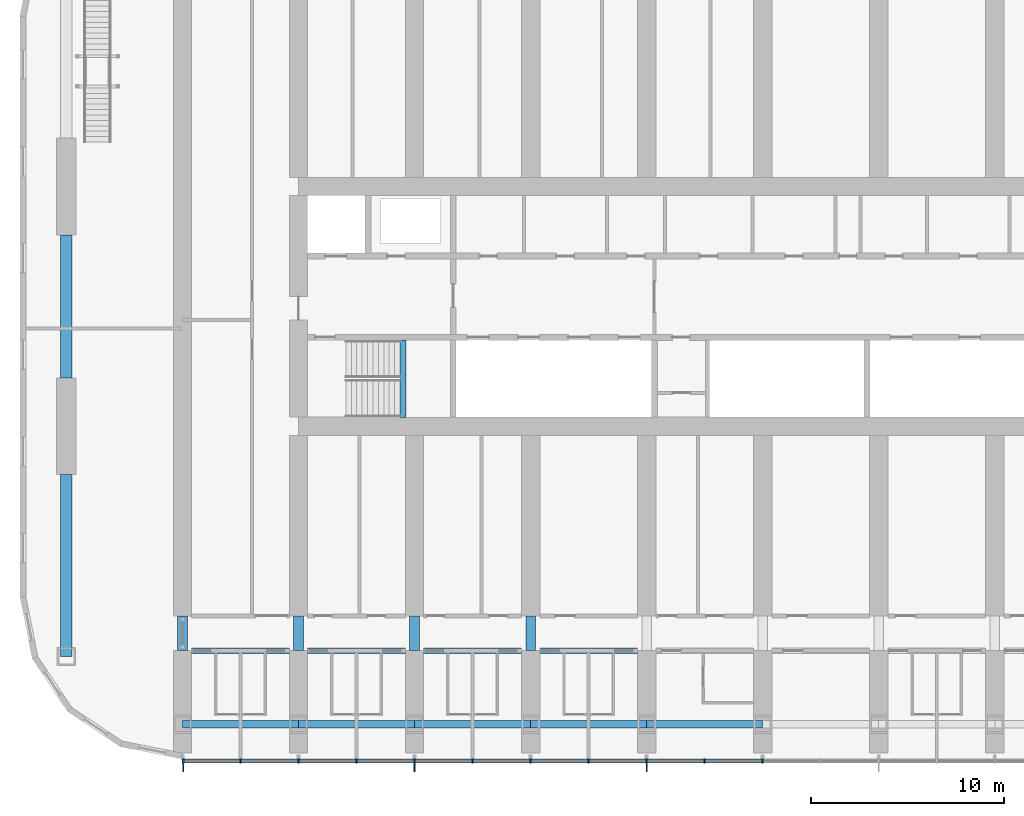
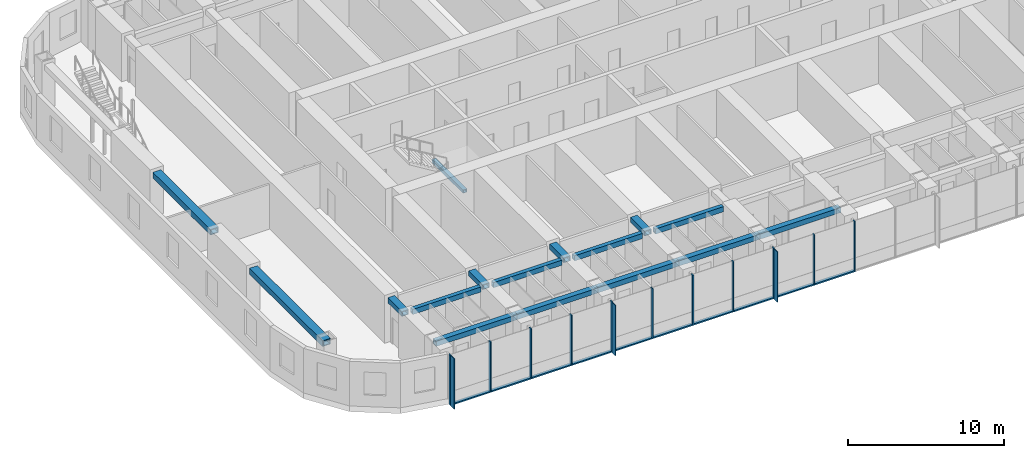
# One storey, part 4 of 26: 24 members, 16 beams, 1 element without a shape of its own.
"""IFC4 building model written with IfcOpenShell, lengths in metres."""

from ifc_helpers import new_model, si_unit, direction, frame, origin, origin_2d, place, context, subcontext, project, spatial, rectangle, hollow_rectangle, extrude, material, material_profile, profile_set, type_object, element, aggregate, save


model = new_model("IFC4")

# Units and contexts
model_context = context("Model", 3, precision=1e-05, world=origin(), true_north=direction((0.0, 1.0)))
body_context = subcontext(model_context, "Body", "Model", "MODEL_VIEW")
ifc_project = project(units=[si_unit("LENGTHUNIT", "METRE"), si_unit("AREAUNIT", "SQUARE_METRE"), si_unit("VOLUMEUNIT", "CUBIC_METRE"), si_unit("PLANEANGLEUNIT", "RADIAN"), si_unit("MASSUNIT", "GRAM", prefix="KILO")], contexts=[model_context])

# Site, building, storey
site_placement = place(None, origin())
site = spatial("IfcSite", under=ifc_project, at=site_placement, CompositionType="ELEMENT")
building_placement = place(site_placement, origin())
building = spatial("IfcBuilding", under=site, at=building_placement, Name="Orbita Commons", CompositionType="ELEMENT")
storey_placement = place(building_placement, frame((0.0, 0.0, 114.39990234375)))
storey = spatial("IfcBuildingStorey", under=building, at=storey_placement, Name="L28", CompositionType="ELEMENT", Elevation=114.39990234375)

# Curtain wall, members
ifc_material_1 = material(Name="Anodised aluminium frame, pale silver", Category="aluminium")
curtain_wall_type = type_object("IfcCurtainWallType", Name="Unitised curtain wall CW-T, vision and spandrel", PredefinedType="NOTDEFINED", material=ifc_material_1)
curtain_wall_placement = place(storey_placement, origin())
curtain_wall = element("IfcCurtainWall", 1, at=curtain_wall_placement, inside=storey, type_object=curtain_wall_type, Name="Curtain wall south L28", PredefinedType="NOTDEFINED")
ifc_material_2 = material(Name="Anodised aluminium, pale silver", Category="aluminium")
ifc_material_profile_1 = material_profile(ifc_material_2, rectangle(XDim=0.080078125, YDim=0.219970703125, at=origin_2d()), Name="AL 80x220")
ifc_profile_set_1 = profile_set([ifc_material_profile_1], Name="Anodised aluminium, pale silver")
member_type_1 = type_object("IfcMemberType", Name="Curtain wall mullion 80x220", PredefinedType="MULLION", material=ifc_profile_set_1)
member_1_placement = place(storey_placement, frame((12.0400390625, 8.489990234375, -0.449951171875), z_axis=(0.0, 0.0, 1.0), x_axis=(1.0, 0.0, 0.0)))
member_1 = element("IfcMember", 2, at=member_1_placement, type_object=member_type_1, Name="Mullion 1 CW-L28-S", PredefinedType="MULLION", context=body_context, shape_type="SweptSolid", body=[
    extrude(rectangle(XDim=0.080078125, YDim=0.219970703125, at=origin_2d()), origin(), (0.0, 0.0, 1.0), 3.949951171875),
])
member_2_placement = place(storey_placement, frame((15.0, 8.489990234375, -0.449951171875), z_axis=(0.0, 0.0, 1.0), x_axis=(1.0, 0.0, 0.0)))
member_2 = element("IfcMember", 3, at=member_2_placement, type_object=member_type_1, Name="Mullion 2 CW-L28-S", PredefinedType="MULLION", context=body_context, shape_type="SweptSolid", body=[
    extrude(rectangle(XDim=0.080078125, YDim=0.219970703125, at=origin_2d()), origin(), (0.0, 0.0, 1.0), 3.949951171875),
])
member_3_placement = place(storey_placement, frame((18.0, 8.489990234375, -0.449951171875), z_axis=(0.0, 0.0, 1.0), x_axis=(1.0, 0.0, 0.0)))
member_3 = element("IfcMember", 4, at=member_3_placement, type_object=member_type_1, Name="Mullion 3 CW-L28-S", PredefinedType="MULLION", context=body_context, shape_type="SweptSolid", body=[
    extrude(rectangle(XDim=0.080078125, YDim=0.219970703125, at=origin_2d()), origin(), (0.0, 0.0, 1.0), 3.949951171875),
])
member_4_placement = place(storey_placement, frame((21.0, 8.489990234375, -0.449951171875), z_axis=(0.0, 0.0, 1.0), x_axis=(1.0, 0.0, 0.0)))
member_4 = element("IfcMember", 5, at=member_4_placement, type_object=member_type_1, Name="Mullion 4 CW-L28-S", PredefinedType="MULLION", context=body_context, shape_type="SweptSolid", body=[
    extrude(rectangle(XDim=0.080078125, YDim=0.219970703125, at=origin_2d()), origin(), (0.0, 0.0, 1.0), 3.949951171875),
])
member_5_placement = place(storey_placement, frame((24.0, 8.489990234375, -0.449951171875), z_axis=(0.0, 0.0, 1.0), x_axis=(1.0, 0.0, 0.0)))
member_5 = element("IfcMember", 6, at=member_5_placement, type_object=member_type_1, Name="Mullion 5 CW-L28-S", PredefinedType="MULLION", context=body_context, shape_type="SweptSolid", body=[
    extrude(rectangle(XDim=0.080078125, YDim=0.219970703125, at=origin_2d()), origin(), (0.0, 0.0, 1.0), 3.949951171875),
])
member_6_placement = place(storey_placement, frame((27.0, 8.489990234375, -0.449951171875), z_axis=(0.0, 0.0, 1.0), x_axis=(1.0, 0.0, 0.0)))
member_6 = element("IfcMember", 7, at=member_6_placement, type_object=member_type_1, Name="Mullion 6 CW-L28-S", PredefinedType="MULLION", context=body_context, shape_type="SweptSolid", body=[
    extrude(rectangle(XDim=0.080078125, YDim=0.219970703125, at=origin_2d()), origin(), (0.0, 0.0, 1.0), 3.949951171875),
])
member_7_placement = place(storey_placement, frame((30.0, 8.489990234375, -0.449951171875), z_axis=(0.0, 0.0, 1.0), x_axis=(1.0, 0.0, 0.0)))
member_7 = element("IfcMember", 8, at=member_7_placement, type_object=member_type_1, Name="Mullion 7 CW-L28-S", PredefinedType="MULLION", context=body_context, shape_type="SweptSolid", body=[
    extrude(rectangle(XDim=0.080078125, YDim=0.219970703125, at=origin_2d()), origin(), (0.0, 0.0, 1.0), 3.949951171875),
])
member_8_placement = place(storey_placement, frame((33.0, 8.489990234375, -0.449951171875), z_axis=(0.0, 0.0, 1.0), x_axis=(1.0, 0.0, 0.0)))
member_8 = element("IfcMember", 9, at=member_8_placement, type_object=member_type_1, Name="Mullion 8 CW-L28-S", PredefinedType="MULLION", context=body_context, shape_type="SweptSolid", body=[
    extrude(rectangle(XDim=0.080078125, YDim=0.219970703125, at=origin_2d()), origin(), (0.0, 0.0, 1.0), 3.949951171875),
])
member_9_placement = place(storey_placement, frame((36.0, 8.489990234375, -0.449951171875), z_axis=(0.0, 0.0, 1.0), x_axis=(1.0, 0.0, 0.0)))
member_9 = element("IfcMember", 10, at=member_9_placement, type_object=member_type_1, Name="Mullion 9 CW-L28-S", PredefinedType="MULLION", context=body_context, shape_type="SweptSolid", body=[
    extrude(rectangle(XDim=0.080078125, YDim=0.219970703125, at=origin_2d()), origin(), (0.0, 0.0, 1.0), 3.949951171875),
])
member_10_placement = place(storey_placement, frame((39.0, 8.489990234375, -0.449951171875), z_axis=(0.0, 0.0, 1.0), x_axis=(1.0, 0.0, 0.0)))
member_10 = element("IfcMember", 11, at=member_10_placement, type_object=member_type_1, Name="Mullion 10 CW-L28-S", PredefinedType="MULLION", context=body_context, shape_type="SweptSolid", body=[
    extrude(rectangle(XDim=0.080078125, YDim=0.219970703125, at=origin_2d()), origin(), (0.0, 0.0, 1.0), 3.949951171875),
])
member_11_placement = place(storey_placement, frame((42.0, 8.489990234375, -0.449951171875), z_axis=(0.0, 0.0, 1.0), x_axis=(1.0, 0.0, 0.0)))
member_11 = element("IfcMember", 12, at=member_11_placement, type_object=member_type_1, Name="Mullion 11 CW-L28-S", PredefinedType="MULLION", context=body_context, shape_type="SweptSolid", body=[
    extrude(rectangle(XDim=0.080078125, YDim=0.219970703125, at=origin_2d()), origin(), (0.0, 0.0, 1.0), 3.949951171875),
])
ifc_material_3 = material(Name="Anodised aluminium, pale silver", Category="aluminium")
ifc_material_profile_2 = material_profile(ifc_material_3, rectangle(XDim=0.219970703125, YDim=0.10009765625, at=origin_2d()), Name="AL 220x100")
ifc_profile_set_2 = profile_set([ifc_material_profile_2], Name="Anodised aluminium, pale silver")
member_type_2 = type_object("IfcMemberType", Name="Curtain wall stack transom 220x100", PredefinedType="USERDEFINED", material=ifc_profile_set_2)
member_12_placement = place(storey_placement, frame((12.080078125, 8.489990234375, -0.39990234375), z_axis=(1.0, 0.0, 0.0), x_axis=(0.0, 1.0, 0.0)))
member_12 = element("IfcMember", 13, at=member_12_placement, type_object=member_type_2, Name="Transom 1.1 CW-L28-S", ObjectType="TRANSOM", PredefinedType="USERDEFINED", context=body_context, shape_type="SweptSolid", body=[
    extrude(rectangle(XDim=0.219970703125, YDim=0.10009765625, at=origin_2d()), origin(), (0.0, 0.0, 1.0), 2.8798828125),
])
member_13_placement = place(storey_placement, frame((15.0400390625, 8.489990234375, -0.39990234375), z_axis=(1.0, 0.0, 0.0), x_axis=(0.0, 1.0, 0.0)))
member_13 = element("IfcMember", 14, at=member_13_placement, type_object=member_type_2, Name="Transom 2.1 CW-L28-S", ObjectType="TRANSOM", PredefinedType="USERDEFINED", context=body_context, shape_type="SweptSolid", body=[
    extrude(rectangle(XDim=0.219970703125, YDim=0.10009765625, at=origin_2d()), origin(), (0.0, 0.0, 1.0), 2.919921875),
])
member_14_placement = place(storey_placement, frame((18.0400390625, 8.489990234375, -0.39990234375), z_axis=(1.0, 0.0, 0.0), x_axis=(0.0, 1.0, 0.0)))
member_14 = element("IfcMember", 15, at=member_14_placement, type_object=member_type_2, Name="Transom 3.1 CW-L28-S", ObjectType="TRANSOM", PredefinedType="USERDEFINED", context=body_context, shape_type="SweptSolid", body=[
    extrude(rectangle(XDim=0.219970703125, YDim=0.10009765625, at=origin_2d()), origin(), (0.0, 0.0, 1.0), 2.919921875),
])
member_15_placement = place(storey_placement, frame((21.0400390625, 8.489990234375, -0.39990234375), z_axis=(1.0, 0.0, 0.0), x_axis=(0.0, 1.0, 0.0)))
member_15 = element("IfcMember", 16, at=member_15_placement, type_object=member_type_2, Name="Transom 4.1 CW-L28-S", ObjectType="TRANSOM", PredefinedType="USERDEFINED", context=body_context, shape_type="SweptSolid", body=[
    extrude(rectangle(XDim=0.219970703125, YDim=0.10009765625, at=origin_2d()), origin(), (0.0, 0.0, 1.0), 2.919921875),
])
member_16_placement = place(storey_placement, frame((24.0400390625, 8.489990234375, -0.39990234375), z_axis=(1.0, 0.0, 0.0), x_axis=(0.0, 1.0, 0.0)))
member_16 = element("IfcMember", 17, at=member_16_placement, type_object=member_type_2, Name="Transom 5.1 CW-L28-S", ObjectType="TRANSOM", PredefinedType="USERDEFINED", context=body_context, shape_type="SweptSolid", body=[
    extrude(rectangle(XDim=0.219970703125, YDim=0.10009765625, at=origin_2d()), origin(), (0.0, 0.0, 1.0), 2.919921875),
])
member_17_placement = place(storey_placement, frame((27.0400390625, 8.489990234375, -0.39990234375), z_axis=(1.0, 0.0, 0.0), x_axis=(0.0, 1.0, 0.0)))
member_17 = element("IfcMember", 18, at=member_17_placement, type_object=member_type_2, Name="Transom 6.1 CW-L28-S", ObjectType="TRANSOM", PredefinedType="USERDEFINED", context=body_context, shape_type="SweptSolid", body=[
    extrude(rectangle(XDim=0.219970703125, YDim=0.10009765625, at=origin_2d()), origin(), (0.0, 0.0, 1.0), 2.919921875),
])
member_18_placement = place(storey_placement, frame((30.0400390625, 8.489990234375, -0.39990234375), z_axis=(1.0, 0.0, 0.0), x_axis=(0.0, 1.0, 0.0)))
member_18 = element("IfcMember", 19, at=member_18_placement, type_object=member_type_2, Name="Transom 7.1 CW-L28-S", ObjectType="TRANSOM", PredefinedType="USERDEFINED", context=body_context, shape_type="SweptSolid", body=[
    extrude(rectangle(XDim=0.219970703125, YDim=0.10009765625, at=origin_2d()), origin(), (0.0, 0.0, 1.0), 2.919921875),
])
member_19_placement = place(storey_placement, frame((33.0400390625, 8.489990234375, -0.39990234375), z_axis=(1.0, 0.0, 0.0), x_axis=(0.0, 1.0, 0.0)))
member_19 = element("IfcMember", 20, at=member_19_placement, type_object=member_type_2, Name="Transom 8.1 CW-L28-S", ObjectType="TRANSOM", PredefinedType="USERDEFINED", context=body_context, shape_type="SweptSolid", body=[
    extrude(rectangle(XDim=0.219970703125, YDim=0.10009765625, at=origin_2d()), origin(), (0.0, 0.0, 1.0), 2.919921875),
])
member_20_placement = place(storey_placement, frame((36.0400390625, 8.489990234375, -0.39990234375), z_axis=(1.0, 0.0, 0.0), x_axis=(0.0, 1.0, 0.0)))
member_20 = element("IfcMember", 21, at=member_20_placement, type_object=member_type_2, Name="Transom 9.1 CW-L28-S", ObjectType="TRANSOM", PredefinedType="USERDEFINED", context=body_context, shape_type="SweptSolid", body=[
    extrude(rectangle(XDim=0.219970703125, YDim=0.10009765625, at=origin_2d()), origin(), (0.0, 0.0, 1.0), 2.919921875),
])
member_21_placement = place(storey_placement, frame((39.0400390625, 8.489990234375, -0.39990234375), z_axis=(1.0, 0.0, 0.0), x_axis=(0.0, 1.0, 0.0)))
member_21 = element("IfcMember", 22, at=member_21_placement, type_object=member_type_2, Name="Transom 10.1 CW-L28-S", ObjectType="TRANSOM", PredefinedType="USERDEFINED", context=body_context, shape_type="SweptSolid", body=[
    extrude(rectangle(XDim=0.219970703125, YDim=0.10009765625, at=origin_2d()), origin(), (0.0, 0.0, 1.0), 2.919921875),
])

# Beams
ifc_material_4 = material(Name="Steel ASTM A572 Gr 50 welded plate", Category="steel")
ifc_material_profile_3 = material_profile(ifc_material_4, hollow_rectangle(XDim=0.300048828125, YDim=0.25, WallThickness=0.02490234375, at=origin_2d()), Name="BOX 250x300x25")
ifc_profile_set_3 = profile_set([ifc_material_profile_3], Name="Steel ASTM A572 Gr 50 welded plate")
beam_type_1 = type_object("IfcBeamType", Name="Stair landing beam steel BOX 250x300x25", PredefinedType="BEAM", material=ifc_profile_set_3)
beam_1_placement = place(storey_placement, frame((23.39990234375, 26.260009765625, 1.550048828125), z_axis=(0.0, 1.0, 0.0), x_axis=(-1.0, 0.0, 0.0)))
element("IfcBeam", 23, at=beam_1_placement, inside=storey, type_object=beam_type_1, Name="Stair S1 landing beam L28 1", PredefinedType="BEAM", context=body_context, shape_type="SweptSolid", body=[
    extrude(hollow_rectangle(XDim=0.300048828125, YDim=0.25, WallThickness=0.02490234375, at=origin_2d()), origin(), (0.0, 0.0, 1.0), 4.0048828125),
])
ifc_material_5 = material(Name="Steel ASTM A572 Gr 50 welded plate", Category="steel")
ifc_material_profile_4 = material_profile(ifc_material_5, hollow_rectangle(XDim=0.300048828125, YDim=0.39990234375, WallThickness=0.0400390625, at=origin_2d()), Name="BOX 400x300x40")
ifc_profile_set_4 = profile_set([ifc_material_profile_4], Name="Steel ASTM A572 Gr 50 welded plate")
beam_type_2 = type_object("IfcBeamType", Name="Steel corridor link BOX 400x300x40", PredefinedType="BEAM", material=ifc_profile_set_4)
for number, where, z_axis, x_axis, name in (
    (24, (12.47509765625, 14.199951171875, 3.300048828125), (1.0, 0.0, 0.0), (0.0, 1.0, 0.0), "Corridor beam SA 3-4 L28"),
    (25, (18.47509765625, 14.199951171875, 3.300048828125), (1.0, 0.0, 0.0), (0.0, 1.0, 0.0), "Corridor beam SA 4-5 L28"),
    (26, (24.47509765625, 14.199951171875, 3.300048828125), (1.0, 0.0, 0.0), (0.0, 1.0, 0.0), "Corridor beam SA 5-6 L28"),
    (27, (30.47509765625, 14.199951171875, 3.300048828125), (1.0, 0.0, 0.0), (0.0, 1.0, 0.0), "Corridor beam SA 6-7 L28"),
):
    element("IfcBeam", number, at=place(storey_placement, frame(where, z_axis=z_axis, x_axis=x_axis)), inside=storey, type_object=beam_type_2, Name=name, PredefinedType="BEAM", context=body_context, shape_type="SweptSolid", body=[
        extrude(hollow_rectangle(XDim=0.300048828125, YDim=0.39990234375, WallThickness=0.0400390625, at=origin_2d()), origin(), (0.0, 0.0, 1.0), 5.0498046875),
    ])
ifc_material_6 = material(Name="Steel ASTM A572 Gr 50 welded plate", Category="steel")
ifc_material_profile_5 = material_profile(ifc_material_6, hollow_rectangle(XDim=0.5, YDim=0.39990234375, WallThickness=0.050048828125, at=origin_2d()), Name="BOX 400x500x50")
ifc_profile_set_5 = profile_set([ifc_material_profile_5], Name="Steel ASTM A572 Gr 50 welded plate")
beam_type_3 = type_object("IfcBeamType", Name="Steel coupling link BOX 400x500x50", PredefinedType="LINTEL", material=ifc_profile_set_5)
for number, where, z_axis, x_axis, name in (
    (28, (12.0, 14.199951171875, 3.300048828125), (0.0, 1.0, 0.0), (-1.0, 0.0, 0.0), "Coupling beam 3 south L28"),
    (29, (18.0, 14.199951171875, 3.300048828125), (0.0, 1.0, 0.0), (-1.0, 0.0, 0.0), "Coupling beam 4 south L28"),
    (30, (24.0, 14.199951171875, 3.300048828125), (0.0, 1.0, 0.0), (-1.0, 0.0, 0.0), "Coupling beam 5 south L28"),
    (31, (30.0, 14.199951171875, 3.300048828125), (0.0, 1.0, 0.0), (-1.0, 0.0, 0.0), "Coupling beam 6 south L28"),
):
    element("IfcBeam", number, at=place(storey_placement, frame(where, z_axis=z_axis, x_axis=x_axis)), inside=storey, type_object=beam_type_3, Name=name, PredefinedType="LINTEL", context=body_context, shape_type="SweptSolid", body=[
        extrude(hollow_rectangle(XDim=0.5, YDim=0.39990234375, WallThickness=0.050048828125, at=origin_2d()), origin(), (0.0, 0.0, 1.0), 1.800048828125),
    ])
ifc_material_7 = material(Name="Steel ASTM A572 Gr 50 welded plate", Category="steel")
ifc_material_profile_6 = material_profile(ifc_material_7, hollow_rectangle(XDim=0.60009765625, YDim=0.449951171875, WallThickness=0.06005859375, at=origin_2d()), Name="BOX 450x600x60")
ifc_profile_set_6 = profile_set([ifc_material_profile_6], Name="Steel ASTM A572 Gr 50 welded plate")
beam_type_4 = type_object("IfcBeamType", Name="Steel end frame link BOX 450x600x60", PredefinedType="BEAM", material=ifc_profile_set_6)
beam_2_placement = place(storey_placement, frame((6.0, 13.89990234375, 3.275146484375), z_axis=(0.0, 1.0, 0.0), x_axis=(-1.0, 0.0, 0.0)))
element("IfcBeam", 32, at=beam_2_placement, inside=storey, type_object=beam_type_4, Name="End frame beam 2 B-C L28", PredefinedType="BEAM", context=body_context, shape_type="SweptSolid", body=[
    extrude(hollow_rectangle(XDim=0.60009765625, YDim=0.449951171875, WallThickness=0.06005859375, at=origin_2d()), origin(), (0.0, 0.0, 1.0), 9.400146484375),
])
beam_3_placement = place(storey_placement, frame((6.0, 28.300048828125, 3.275146484375), z_axis=(0.0, 1.0, 0.0), x_axis=(-1.0, 0.0, 0.0)))
element("IfcBeam", 33, at=beam_3_placement, inside=storey, type_object=beam_type_4, Name="End frame beam 2 C-D L28", PredefinedType="BEAM", context=body_context, shape_type="SweptSolid", body=[
    extrude(hollow_rectangle(XDim=0.60009765625, YDim=0.449951171875, WallThickness=0.06005859375, at=origin_2d()), origin(), (0.0, 0.0, 1.0), 7.39990234375),
])
ifc_material_8 = material(Name="Steel ASTM A572 Gr 50 welded plate", Category="steel")
ifc_material_profile_7 = material_profile(ifc_material_8, hollow_rectangle(XDim=0.39990234375, YDim=0.39990234375, WallThickness=0.0400390625, at=origin_2d()), Name="BOX 400x400x40")
ifc_profile_set_7 = profile_set([ifc_material_profile_7], Name="Steel ASTM A572 Gr 50 welded plate")
beam_type_5 = type_object("IfcBeamType", Name="Steel spandrel BOX 400x400x40", PredefinedType="SPANDREL", material=ifc_profile_set_7)
for number, where, z_axis, x_axis, name in (
    (34, (12.0, 10.39990234375, 3.300048828125), (1.0, 0.0, 0.0), (0.0, 1.0, 0.0), "Spandrel beam B 3-4 L28"),
    (35, (18.0, 10.39990234375, 3.300048828125), (1.0, 0.0, 0.0), (0.0, 1.0, 0.0), "Spandrel beam B 4-5 L28"),
    (36, (24.0, 10.39990234375, 3.300048828125), (1.0, 0.0, 0.0), (0.0, 1.0, 0.0), "Spandrel beam B 5-6 L28"),
    (37, (30.0, 10.39990234375, 3.300048828125), (1.0, 0.0, 0.0), (0.0, 1.0, 0.0), "Spandrel beam B 6-7 L28"),
    (38, (36.0, 10.39990234375, 3.300048828125), (1.0, 0.0, 0.0), (0.0, 1.0, 0.0), "Spandrel beam B 7-8 L28"),
):
    element("IfcBeam", number, at=place(storey_placement, frame(where, z_axis=z_axis, x_axis=x_axis)), inside=storey, type_object=beam_type_5, Name=name, PredefinedType="SPANDREL", context=body_context, shape_type="SweptSolid", body=[
        extrude(hollow_rectangle(XDim=0.39990234375, YDim=0.39990234375, WallThickness=0.0400390625, at=origin_2d()), origin(), (0.0, 0.0, 1.0), 6.0),
    ])

# Member
ifc_material_9 = material(Name="Anodised aluminium, pale silver", Category="aluminium")
ifc_material_profile_8 = material_profile(ifc_material_9, rectangle(XDim=0.06005859375, YDim=0.449951171875, at=origin_2d()), Name="FIN 60x450")
ifc_profile_set_8 = profile_set([ifc_material_profile_8], Name="Anodised aluminium, pale silver")
member_type_3 = type_object("IfcMemberType", Name="Vertical fin 60x450 pale aluminium", PredefinedType="USERDEFINED", material=ifc_profile_set_8)
member_22_placement = place(storey_placement, frame((12.0400390625, 8.155029296875, -0.449951171875), z_axis=(0.0, 0.0, 1.0), x_axis=(1.0, 0.0, 0.0)))
member_22 = element("IfcMember", 39, at=member_22_placement, type_object=member_type_3, Name="Fin 1 CW-L28-S", ObjectType="FIN", PredefinedType="USERDEFINED", context=body_context, shape_type="SweptSolid", body=[
    extrude(rectangle(XDim=0.06005859375, YDim=0.449951171875, at=origin_2d()), origin(), (0.0, 0.0, 1.0), 3.949951171875),
])

member_23_placement = place(storey_placement, frame((24.0, 8.155029296875, -0.449951171875), z_axis=(0.0, 0.0, 1.0), x_axis=(1.0, 0.0, 0.0)))
member_23 = element("IfcMember", 40, at=member_23_placement, type_object=member_type_3, Name="Fin 5 CW-L28-S", ObjectType="FIN", PredefinedType="USERDEFINED", context=body_context, shape_type="SweptSolid", body=[
    extrude(rectangle(XDim=0.06005859375, YDim=0.449951171875, at=origin_2d()), origin(), (0.0, 0.0, 1.0), 3.949951171875),
])

member_24_placement = place(storey_placement, frame((36.0, 8.155029296875, -0.449951171875), z_axis=(0.0, 0.0, 1.0), x_axis=(1.0, 0.0, 0.0)))
member_24 = element("IfcMember", 41, at=member_24_placement, type_object=member_type_3, Name="Fin 9 CW-L28-S", ObjectType="FIN", PredefinedType="USERDEFINED", context=body_context, shape_type="SweptSolid", body=[
    extrude(rectangle(XDim=0.06005859375, YDim=0.449951171875, at=origin_2d()), origin(), (0.0, 0.0, 1.0), 3.949951171875),
])

aggregate(curtain_wall, [member_1, member_22, member_2, member_3, member_4, member_5, member_23, member_6, member_7, member_8, member_9, member_24, member_10, member_11, member_12, member_13, member_14, member_15, member_16, member_17, member_18, member_19, member_20, member_21])

save(model, "model.ifc")
